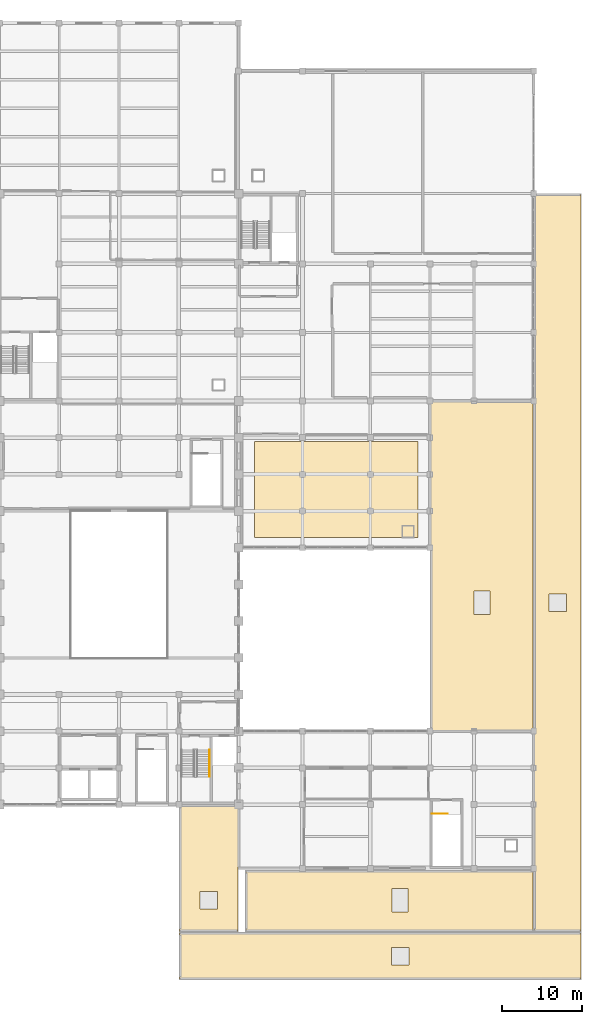
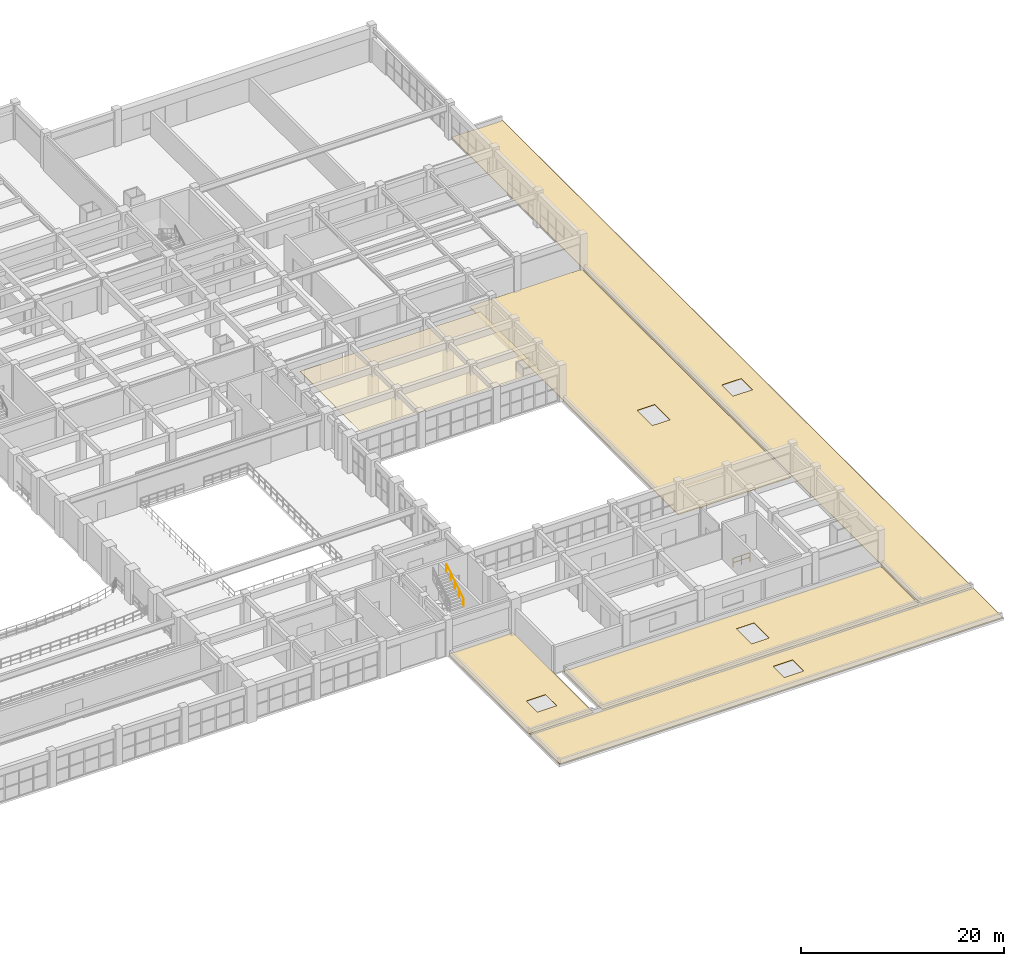
# One storey, part 89 of 90: 6 coverings, 2 railings.
"""IFC4 building model written with IfcOpenShell, lengths in metres."""

from ifc_helpers import new_model, si_unit, direction, frame, origin, origin_2d, place, context, subcontext, project, spatial, polyline, circle, outline, extrude, material, layer, layer_set, type_object, element, save


model = new_model("IFC4")

# Units and contexts
model_context = context("Model", 3, precision=1e-05, world=origin(), true_north=direction((0.0, 1.0)))
body_context = subcontext(model_context, "Body", "Model", "MODEL_VIEW")
ifc_project = project(units=[si_unit("LENGTHUNIT", "METRE"), si_unit("AREAUNIT", "SQUARE_METRE"), si_unit("VOLUMEUNIT", "CUBIC_METRE"), si_unit("PLANEANGLEUNIT", "RADIAN"), si_unit("MASSUNIT", "GRAM", prefix="KILO")], contexts=[model_context])

# Site, building, storey
site_placement = place(None, origin())
site = spatial("IfcSite", under=ifc_project, at=site_placement, CompositionType="ELEMENT")
building_placement = place(site_placement, origin())
building = spatial("IfcBuilding", under=site, at=building_placement, Name="Muzn Square Opera House", CompositionType="ELEMENT")
storey_placement = place(building_placement, frame((0.0, 0.0, 9.800048828125)))
storey = spatial("IfcBuildingStorey", under=building, at=storey_placement, Name="L02", CompositionType="ELEMENT", Elevation=9.800048828125)

# Coverings
ifc_material_1 = material(Name="Acoustic walnut timber panelling", Category="wood")
ifc_layer_1 = layer(ifc_material_1, 0.0400390625, Name="Acoustic walnut timber panelling", Category="wood")
ifc_layer_set_1 = layer_set([ifc_layer_1], Name="Acoustic walnut timber panelling")
covering_type_1 = type_object("IfcCoveringType", Name="Carved Walnut Acoustic Ceiling Cloud", PredefinedType="CEILING", material=ifc_layer_set_1)
covering_1_placement = place(storey_placement, frame((0.0, 0.0, 3.0)))
element("IfcCovering", 1, at=covering_1_placement, inside=storey, type_object=covering_type_1, Name="Exhibition Gallery Acoustic Ceiling", PredefinedType="CEILING", context=body_context, shape_type="SweptSolid", body=[
    extrude(outline(polyline([(135.0, 55.5), (155.5, 55.5), (155.5, 67.5), (135.0, 67.5), (135.0, 55.5)])), origin(), (0.0, 0.0, 1.0), 0.0400390625),
])
ifc_material_2 = material(Name="Insulated roof membrane")
ifc_layer_2 = layer(ifc_material_2, 0.050048828125, Name="Insulated roof membrane")
ifc_layer_set_2 = layer_set([ifc_layer_2], Name="Insulated roof membrane")
covering_type_2 = type_object("IfcCoveringType", Name="Insulated Flat Roof Membrane", PredefinedType="ROOFING", material=ifc_layer_set_2)
covering_2_placement = place(storey_placement, origin())
element("IfcCovering", 2, at=covering_2_placement, inside=storey, type_object=covering_type_2, Name="Flat Roof Membrane ROOF-L02-COL-ES", PredefinedType="ROOFING", context=body_context, shape_type="SweptSolid", body=[
    extrude(outline(polyline([(125.60009765625, 0.10009765625), (175.89990234375, 0.10009765625), (175.89990234375, 5.89990234375), (125.60009765625, 5.89990234375), (125.60009765625, 0.10009765625)]), holes=[polyline([(152.14990234375, 1.89990234375), (154.35009765625, 1.89990234375), (154.35009765625, 4.10009765625), (152.14990234375, 4.10009765625), (152.14990234375, 1.89990234375)])]), origin(), (0.0, 0.0, 1.0), 0.050048828125),
])
covering_3_placement = place(storey_placement, origin())
element("IfcCovering", 3, at=covering_3_placement, inside=storey, type_object=covering_type_2, Name="Flat Roof Membrane ROOF-L02-COL-EFC", PredefinedType="ROOFING", context=body_context, shape_type="SweptSolid", body=[
    extrude(outline(polyline([(125.60009765625, 6.10009765625), (132.89990234375, 6.10009765625), (132.89990234375, 21.89990234375), (125.60009765625, 21.89990234375), (125.60009765625, 6.10009765625)]), holes=[polyline([(128.14990234375, 8.89990234375), (130.35009765625, 8.89990234375), (130.35009765625, 11.10009765625), (128.14990234375, 11.10009765625), (128.14990234375, 8.89990234375)])]), origin(), (0.0, 0.0, 1.0), 0.050048828125),
])
covering_4_placement = place(storey_placement, origin())
element("IfcCovering", 4, at=covering_4_placement, inside=storey, type_object=covering_type_2, Name="Flat Roof Membrane ROOF-L02-COL-EB", PredefinedType="ROOFING", context=body_context, shape_type="SweptSolid", body=[
    extrude(outline(polyline([(170.10009765625, 6.10009765625), (175.89990234375, 6.10009765625), (175.89990234375, 98.5), (170.10009765625, 98.5), (170.10009765625, 6.10009765625)]), holes=[polyline([(171.89990234375, 46.199951171875), (174.10009765625, 46.199951171875), (174.10009765625, 48.39990234375), (171.89990234375, 48.39990234375), (171.89990234375, 46.199951171875)])]), origin(), (0.0, 0.0, 1.0), 0.050048828125),
])
covering_5_placement = place(storey_placement, origin())
element("IfcCovering", 5, at=covering_5_placement, inside=storey, type_object=covering_type_2, Name="Flat Roof Membrane ROOF-L02-EOUTER", PredefinedType="ROOFING", context=body_context, shape_type="SweptSolid", body=[
    extrude(outline(polyline([(157.10009765625, 31.300048828125), (169.89990234375, 31.300048828125), (169.89990234375, 72.5), (157.10009765625, 72.5), (157.10009765625, 31.300048828125)]), holes=[polyline([(162.5, 45.800048828125), (164.5, 45.800048828125), (164.5, 48.800048828125), (162.5, 48.800048828125), (162.5, 45.800048828125)])]), origin(), (0.0, 0.0, 1.0), 0.050048828125),
])
covering_6_placement = place(storey_placement, origin())
element("IfcCovering", 6, at=covering_6_placement, inside=storey, type_object=covering_type_2, Name="Flat Roof Membrane ROOF-L02-ESSTEP", PredefinedType="ROOFING", context=body_context, shape_type="SweptSolid", body=[
    extrude(outline(polyline([(133.89990234375, 6.10009765625), (169.89990234375, 6.10009765625), (169.89990234375, 13.699951171875), (133.89990234375, 13.699951171875), (133.89990234375, 6.10009765625)]), holes=[polyline([(152.25, 8.5), (154.25, 8.5), (154.25, 11.5), (152.25, 11.5), (152.25, 8.5)])]), origin(), (0.0, 0.0, 1.0), 0.050048828125),
])

# Railings
ifc_material_3 = material(Name="Brushed stainless steel", Category="metal")
railing_type_1 = type_object("IfcRailingType", Name="Stair Guard Railing 1120mm", PredefinedType="GUARDRAIL", material=ifc_material_3)
railing_1_placement = place(storey_placement, frame((157.25, 20.840087890625, 0.0)))
element("IfcRailing", 7, at=railing_1_placement, inside=storey, type_object=railing_type_1, Name="L02 ST-8 top well guard 1", PredefinedType="GUARDRAIL", context=body_context, shape_type="SweptSolid", body=[
    extrude(circle(Radius=0.02392578125, at=origin_2d()), frame((0.0, 0.0, 1.076171875), z_axis=(1.0, 0.0, 0.0), x_axis=(0.0, 1.0, 0.0)), (0.0, 0.0, 1.0), 1.93994140625),
    extrude(circle(Radius=0.02392578125, at=origin_2d()), frame((0.0, 0.0, 0.550048828125), z_axis=(1.0, 0.0, 0.0), x_axis=(0.0, 1.0, 0.0)), (0.0, 0.0, 1.0), 1.93994140625),
    extrude(circle(Radius=0.02099609375, at=origin_2d()), origin(), (0.0, 0.0, 1.0), 1.052001953125),
    extrude(circle(Radius=0.02099609375, at=origin_2d()), frame((0.969970703125, 0.0, 0.0)), (0.0, 0.0, 1.0), 1.052001953125),
    extrude(circle(Radius=0.02099609375, at=origin_2d()), frame((1.93994140625, 0.0, 0.0)), (0.0, 0.0, 1.0), 1.052001953125),
])
railing_type_2 = type_object("IfcRailingType", Name="Stair Pitch Handrail 900mm", PredefinedType="HANDRAIL", material=ifc_material_3)
railing_2_placement = place(storey_placement, frame((129.35009765625, 25.47998046875, 2.369140625)))
element("IfcRailing", 8, at=railing_2_placement, inside=storey, type_object=railing_type_2, Name="L02 ST-4 stair handrail 2", PredefinedType="HANDRAIL", context=body_context, shape_type="SweptSolid", body=[
    extrude(circle(Radius=0.02392578125, at=origin_2d()), frame((0.0, 0.0, 0.8759765625), z_axis=(0.0, 0.855836976705, 0.517245656632), x_axis=(-1.0, 0.0, 0.0)), (0.0, 0.0, 1.0), 3.926025390625),
    extrude(circle(Radius=0.02099609375, at=origin_2d()), origin(), (0.0, 0.0, 1.0), 0.851806640625),
    extrude(circle(Radius=0.02099609375, at=origin_2d()), frame((0.0, 0.840087890625, 0.5078125)), (0.0, 0.0, 1.0), 0.851806640625),
    extrude(circle(Radius=0.02099609375, at=origin_2d()), frame((0.0, 1.68017578125, 1.015380859375)), (0.0, 0.0, 1.0), 0.851806640625),
    extrude(circle(Radius=0.02099609375, at=origin_2d()), frame((0.0, 2.52001953125, 1.52294921875)), (0.0, 0.0, 1.0), 0.851806640625),
    extrude(circle(Radius=0.02099609375, at=origin_2d()), frame((0.0, 3.360107421875, 2.03076171875)), (0.0, 0.0, 1.0), 0.851806640625),
])

save(model, "model.ifc")
